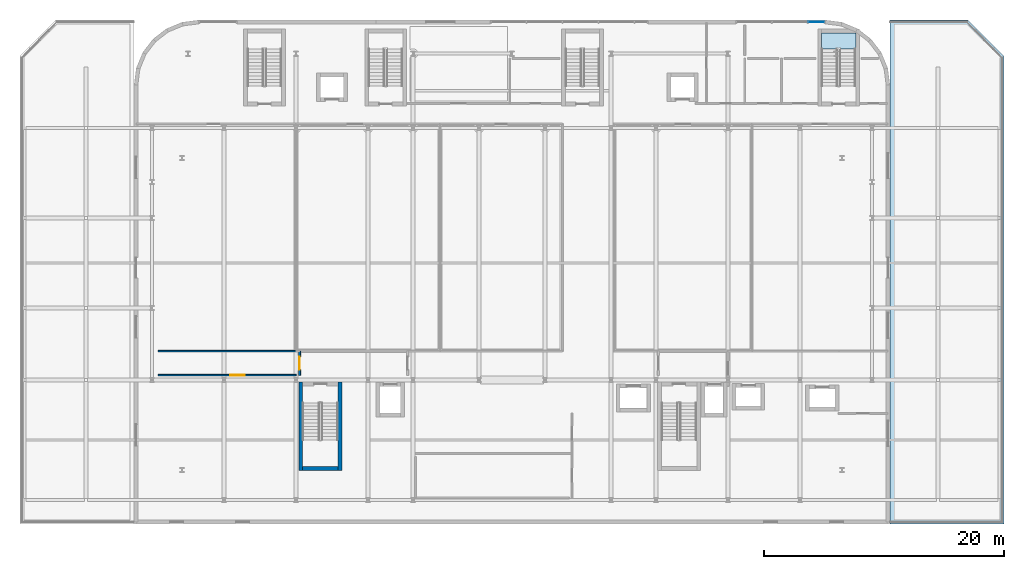
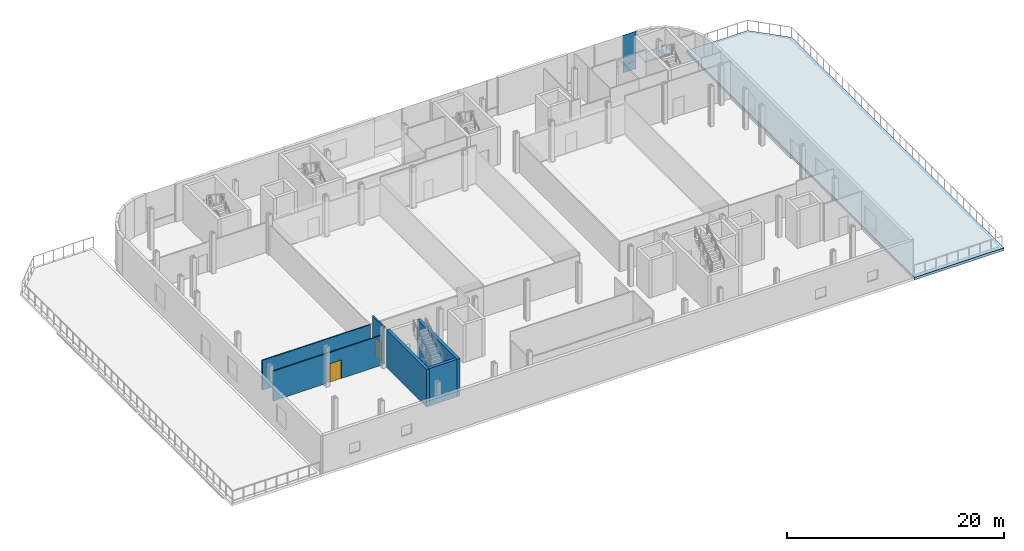
# One storey, part 14 of 26: 6 walls, 2 doors, 2 plates, 2 slabs, 2 openings, 2 elements without a shape of their own.
"""IFC4 building model written with IfcOpenShell, lengths in metres."""

import ifcopenshell
import ifcopenshell.guid

model = None  # the IFC model being written
_history = None  # IfcOwnerHistory: only IFC2X3 demands one
_inside = {}  # id of a spatial element -> (the spatial element, [elements in it])
_under = {}  # id of a project, library or spatial element -> (it, [spatial elements below it])
_declared = {}  # id of a project -> (the project, [libraries it declares])
_typed = {}  # id of a type object -> (the type object, [elements of that type])
_made_of = {}  # id of a material, layer set ... -> (it, [elements and type objects made of it])


def new_model(schema):
    """Start an empty IFC model of exactly this schema.

    Asked for "IFC4X3", IfcOpenShell would pick the latest addendum, in which some entities
    have other attributes; the version numbers below select the first issue.
    IFC2X3 requires an IfcOwnerHistory on every rooted entity: one is made here for all.
    """
    global model, _history
    if schema == "IFC4X3":
        model = ifcopenshell.file(schema_version=(4, 3, 0, 0))
    else:
        model = ifcopenshell.file(schema=schema)
    _inside.clear()
    _under.clear()
    _declared.clear()
    _typed.clear()
    _made_of.clear()
    _history = None
    if model.schema == "IFC2X3":
        org = make("IfcOrganization", Name="unknown")
        user = make(
            "IfcPersonAndOrganization",
            ThePerson=make("IfcPerson", FamilyName="unknown"),
            TheOrganization=org,
        )
        app = make(
            "IfcApplication",
            ApplicationDeveloper=org,
            Version="unknown",
            ApplicationFullName="unknown",
            ApplicationIdentifier="unknown",
        )
        _history = make(
            "IfcOwnerHistory",
            OwningUser=user,
            OwningApplication=app,
            ChangeAction="ADDED",
            CreationDate=0,
        )
    return model


def make(cls, **values):
    """One entity of the class cls with the attributes given. An attribute that is None is left unset."""
    return model.create_entity(
        cls, **{name: value for name, value in values.items() if value is not None}
    )


def rooted(cls, **values):
    """An entity with a GlobalId (a new one), such as an element, a storey or a relation."""
    return make(cls, GlobalId=ifcopenshell.guid.new(), OwnerHistory=_history, **values)


def si_unit(unit_type, name, prefix=None):
    """IfcSIUnit, for example si_unit("LENGTHUNIT", "METRE", prefix="MILLI")."""
    return make("IfcSIUnit", UnitType=unit_type, Prefix=prefix, Name=name)


def assignment(units):
    """IfcUnitAssignment: the units of a project."""
    return None if units is None else make("IfcUnitAssignment", Units=units)


def point(xyz):
    """IfcCartesianPoint."""
    return None if xyz is None else make("IfcCartesianPoint", Coordinates=xyz)


def direction(xyz):
    """IfcDirection."""
    return None if xyz is None else make("IfcDirection", DirectionRatios=xyz)


def frame(location, z_axis=None, x_axis=None):
    """IfcAxis2Placement3D, a coordinate frame: its origin and axes. An axis left out is left unset."""
    return make(
        "IfcAxis2Placement3D",
        Location=point(location),
        Axis=direction(z_axis),
        RefDirection=direction(x_axis),
    )


def frame_2d(location, x_axis=None):
    """IfcAxis2Placement2D, a coordinate frame in the plane: its origin and x axis."""
    return make(
        "IfcAxis2Placement2D", Location=point(location), RefDirection=direction(x_axis)
    )


def origin():
    """The frame at (0, 0, 0) with its axes left unset."""
    return frame((0.0, 0.0, 0.0))


def origin_2d():
    """The frame at (0, 0) in the plane with its x axis left unset."""
    return frame_2d((0.0, 0.0))


def place(relative_to, where):
    """IfcLocalPlacement: puts the frame where relative to a parent placement (None: the world)."""
    return make(
        "IfcLocalPlacement", PlacementRelTo=relative_to, RelativePlacement=where
    )


def context(
    kind, dimensions, precision=None, world=None, true_north=None, identifier=None
):
    """IfcGeometricRepresentationContext, for example the 3D "Model" context."""
    return make(
        "IfcGeometricRepresentationContext",
        ContextIdentifier=identifier,
        ContextType=kind,
        CoordinateSpaceDimension=dimensions,
        Precision=precision,
        WorldCoordinateSystem=world,
        TrueNorth=true_north,
    )


def subcontext(parent, identifier, kind, view, scale=None):
    """IfcGeometricRepresentationSubContext, for example "Body" below "Model"."""
    return make(
        "IfcGeometricRepresentationSubContext",
        ContextIdentifier=identifier,
        ContextType=kind,
        ParentContext=parent,
        TargetScale=scale,
        TargetView=view,
    )


def project(units=None, contexts=None):
    """IfcProject with its units and contexts."""
    return rooted(
        "IfcProject",
        Name="project",
        RepresentationContexts=contexts,
        UnitsInContext=assignment(units),
    )


def spatial(cls, under=None, at=None, **own):
    """A site, building, storey or space (cls), placed at a placement, below another one or the project."""
    s = rooted(cls, ObjectPlacement=at, **own)
    if under is not None:
        _under.setdefault(under.id(), (under, []))[1].append(s)
    return s


def polyline(points):
    """IfcPolyline through the points."""
    return make("IfcPolyline", Points=[point(p) for p in points])


def profile(cls, at=None, kind="AREA", **sizes):
    """A parametric profile (cls). Its sizes go by their IFC names, for example OverallWidth=200.0."""
    return make(cls, ProfileType=kind, Position=at, **sizes)


def rectangle(**sizes):
    """IfcRectangleProfileDef."""
    return profile("IfcRectangleProfileDef", **sizes)


def outline(outer, holes=None, kind="AREA"):
    """IfcArbitraryClosedProfileDef: a profile drawn as a closed curve; with holes, ...WithVoids."""
    if holes is None:
        return make("IfcArbitraryClosedProfileDef", ProfileType=kind, OuterCurve=outer)
    return make(
        "IfcArbitraryProfileDefWithVoids",
        ProfileType=kind,
        OuterCurve=outer,
        InnerCurves=holes,
    )


def extrude(swept, where, along, depth):
    """IfcExtrudedAreaSolid: the profile swept, set in the frame where, extruded along a direction by depth."""
    return make(
        "IfcExtrudedAreaSolid",
        SweptArea=swept,
        Position=where,
        ExtrudedDirection=direction(along),
        Depth=depth,
    )


def shape(context_of_items, identifier, shape_type, items):
    """IfcShapeRepresentation: the items that make up one representation, for example the "Body"."""
    return make(
        "IfcShapeRepresentation",
        ContextOfItems=context_of_items,
        RepresentationIdentifier=identifier,
        RepresentationType=shape_type,
        Items=items,
    )


def material(Name=None, Category=None):
    """IfcMaterial."""
    return make("IfcMaterial", Name=Name, Category=Category)


def layer(
    of_material, thickness, ventilated=None, Name=None, Category=None, Priority=None
):
    """IfcMaterialLayer: one layer of a wall or slab, of a material (None: an air gap)."""
    return make(
        "IfcMaterialLayer",
        Material=of_material,
        LayerThickness=thickness,
        IsVentilated=ventilated,
        Name=Name,
        Category=Category,
        Priority=Priority,
    )


def layer_set(layers, Name=None):
    """IfcMaterialLayerSet."""
    return make("IfcMaterialLayerSet", MaterialLayers=layers, LayerSetName=Name)


def made_of(thing, what):
    """Note that an element or type object is made of a material, layer set ...; save() writes the relation."""
    if what is not None:
        _made_of.setdefault(what.id(), (what, []))[1].append(thing)
    return thing


def type_object(cls, material=None, **own):
    """A type object (cls), such as IfcWallType, which elements share."""
    return made_of(rooted(cls, **own), material)


def element(
    cls,
    number,
    at=None,
    inside=None,
    cuts=None,
    type_object=None,
    material=None,
    context=None,
    identifier="Body",
    shape_type=None,
    held_by="IfcProductDefinitionShape",
    body=None,
    shapes=None,
    **own,
):
    """One element of the class cls, such as IfcWall. Its Tag is "e" and its number.

    at: its placement. inside: the storey or other place that contains it. cuts: it is an
    opening in that element (IfcRelVoidsElement). A single representation is given by context,
    identifier, shape_type and body (its items); several are given by shapes. held_by: the class
    of the entity that holds the representations. save() writes the other relations.
    """
    e = rooted(cls, Tag="e%d" % number, ObjectPlacement=at, **own)
    if body is not None:
        shapes = [shape(context, identifier, shape_type, body)]
    if shapes is not None:
        e.Representation = make(held_by, Representations=shapes)
    if inside is not None:
        _inside.setdefault(inside.id(), (inside, []))[1].append(e)
    if cuts is not None:
        rooted(
            "IfcRelVoidsElement", RelatingBuildingElement=cuts, RelatedOpeningElement=e
        )
    if type_object is not None:
        _typed.setdefault(type_object.id(), (type_object, []))[1].append(e)
    return made_of(e, material)


def fill(opening, filler):
    """IfcRelFillsElement: the door or window that sits in an opening."""
    return rooted(
        "IfcRelFillsElement",
        RelatingOpeningElement=opening,
        RelatedBuildingElement=filler,
    )


def aggregate(whole, parts):
    """IfcRelAggregates: a whole, such as a stair, and the parts it consists of."""
    return rooted("IfcRelAggregates", RelatingObject=whole, RelatedObjects=parts)


def save(model, path):
    """Write the relations noted so far, then the file.

    IfcRelAggregates (storeys below a building ...), IfcRelContainedInSpatialStructure (elements
    in a storey), IfcRelDefinesByType, IfcRelAssociatesMaterial and IfcRelDeclares: one each for
    every whole, place, type object, material and project.
    """
    for whole, parts in _under.values():
        aggregate(whole, parts)
    for where, things in _inside.values():
        rooted(
            "IfcRelContainedInSpatialStructure",
            RelatedElements=things,
            RelatingStructure=where,
        )
    for kind, things in _typed.values():
        rooted("IfcRelDefinesByType", RelatedObjects=things, RelatingType=kind)
    for what, things in _made_of.values():
        rooted("IfcRelAssociatesMaterial", RelatedObjects=things, RelatingMaterial=what)
    for by, libraries in _declared.values():
        rooted("IfcRelDeclares", RelatingContext=by, RelatedDefinitions=libraries)
    model.write(path)


model = new_model("IFC4")

# Units and contexts
model_context = context("Model", 3, precision=1e-05, world=origin(), true_north=direction((0.0, 1.0)))
body_context = subcontext(model_context, "Body", "Model", "MODEL_VIEW")
ifc_project = project(units=[si_unit("LENGTHUNIT", "METRE"), si_unit("AREAUNIT", "SQUARE_METRE"), si_unit("VOLUMEUNIT", "CUBIC_METRE"), si_unit("PLANEANGLEUNIT", "RADIAN"), si_unit("MASSUNIT", "GRAM", prefix="KILO")], contexts=[model_context])

# Site, building, storey
site_placement = place(None, origin())
site = spatial("IfcSite", under=ifc_project, at=site_placement, CompositionType="ELEMENT")
building_placement = place(site_placement, origin())
building = spatial("IfcBuilding", under=site, at=building_placement, Name="Brevholm Reach", CompositionType="ELEMENT")
storey_placement = place(building_placement, frame((0.0, 0.0, 18.0)))
storey = spatial("IfcBuildingStorey", under=building, at=storey_placement, Name="L04", CompositionType="ELEMENT", Elevation=18.0)

# Curtain wall, plates
ifc_material_1 = material(Name="Dark Anodised Aluminium 6063-T6 and Solar-Control Glass", Category="aluminium")
ifc_layer_1 = layer(ifc_material_1, 0.1650390625)
ifc_layer_set_1 = layer_set([ifc_layer_1], Name="Dark Anodised Aluminium 6063-T6 and Solar-Control Glass")
curtain_wall_type = type_object("IfcCurtainWallType", Name="CW-03", PredefinedType="NOTDEFINED", material=ifc_layer_set_1)
curtain_wall_placement = place(storey_placement, origin())
curtain_wall = element("IfcCurtainWall", 1, at=curtain_wall_placement, inside=storey, type_object=curtain_wall_type, Name="L04 Curtain Wall CW-03", PredefinedType="NOTDEFINED")
ifc_material_2 = material(Name="Triple-Glazed Acoustic School IGU Glass", Category="glass")
ifc_layer_2 = layer(ifc_material_2, 0.0439453125)
ifc_layer_set_2 = layer_set([ifc_layer_2], Name="Triple-Glazed Acoustic School IGU Glass")
plate_type = type_object("IfcPlateType", Name="CWP-ACU-44", PredefinedType="CURTAIN_PANEL", material=ifc_layer_set_2)
plate_1_placement = place(storey_placement, frame((55.357421875, 39.830078125, 0.0), z_axis=(0.0, 0.0, 1.0), x_axis=(1.0, 0.0, 0.0)))
plate_1 = element("IfcPlate", 2, at=plate_1_placement, type_object=plate_type, Name="CP-03 Glazing Panel 3.1", PredefinedType="CURTAIN_PANEL", context=body_context, shape_type="SweptSolid", body=[
    extrude(rectangle(XDim=1.344970703125, YDim=0.0439453125, at=origin_2d()), origin(), (0.0, 0.0, 1.0), 0.864990234375),
])
plate_2_placement = place(storey_placement, frame((55.357421875, 39.830078125, 0.93505859375), z_axis=(0.0, 0.0, 1.0), x_axis=(1.0, 0.0, 0.0)))
plate_2 = element("IfcPlate", 3, at=plate_2_placement, type_object=plate_type, Name="CP-03 Glazing Panel 3.2", PredefinedType="CURTAIN_PANEL", context=body_context, shape_type="SweptSolid", body=[
    extrude(rectangle(XDim=1.344970703125, YDim=0.0439453125, at=origin_2d()), origin(), (0.0, 0.0, 1.0), 3.284912109375),
])
aggregate(curtain_wall, [plate_1, plate_2])

# Stair, slab
ifc_material_3 = material(Name="Precast Concrete C40/50", Category="concrete")
stair_type = type_object("IfcStairType", Name="STR-ESC-1250", PredefinedType="DOUBLE_RETURN_STAIR", material=ifc_material_3)
stair_placement = place(storey_placement, origin())
stair = element("IfcStair", 4, at=stair_placement, inside=storey, type_object=stair_type, Name="L04 ST-S4", PredefinedType="DOUBLE_RETURN_STAIR")
ifc_material_4 = material(Name="Concrete C40/50", Category="concrete")
ifc_layer_3 = layer(ifc_material_4, 0.199951171875)
ifc_layer_set_3 = layer_set([ifc_layer_3], Name="Concrete C40/50")
slab_type_1 = type_object("IfcSlabType", Name="SLB-LND-200", PredefinedType="LANDING", material=ifc_layer_set_3)
slab_1_placement = place(storey_placement, frame((0.0, 0.0, 2.050048828125)))
slab_1 = element("IfcSlab", 5, at=slab_1_placement, type_object=slab_type_1, Name="ST-S4 landing 1", PredefinedType="LANDING", context=body_context, shape_type="SweptSolid", body=[
    extrude(outline(polyline([(58.64990234375, 37.580078125), (58.64990234375, 38.929931640625), (55.800048828125, 38.929931640625), (55.800048828125, 37.580078125), (58.64990234375, 37.580078125)])), origin(), (0.0, 0.0, 1.0), 0.199951171875),
])
aggregate(stair, [slab_1])

# Slab
ifc_material_5 = material(Name="Concrete C40/50", Category="concrete")
ifc_layer_4 = layer(ifc_material_5, 0.2900390625)
ifc_layer_set_4 = layer_set([ifc_layer_4], Name="Concrete C40/50")
slab_type_2 = type_object("IfcSlabType", Name="SLB-RF-290", PredefinedType="ROOF", material=ifc_layer_set_4)
slab_2_placement = place(storey_placement, frame((0.0, 0.0, -0.280029296875)))
element("IfcSlab", 6, at=slab_2_placement, inside=storey, type_object=slab_type_2, Name="Outdoor Terrace Roof Slab (playdeck-l04-e)", PredefinedType="ROOF", context=body_context, shape_type="SweptSolid", body=[
    extrude(outline(polyline([(61.5, -2.0), (71.0, -2.0), (71.0, 37.0), (68.0, 40.0), (61.5, 40.0), (61.5, -2.0)])), origin(), (0.0, 0.0, 1.0), 0.2900390625),
])

# Walls
ifc_material_6 = material(Name="Concrete C60/75", Category="concrete")
ifc_layer_5 = layer(ifc_material_6, 0.320068359375)
ifc_layer_set_5 = layer_set([ifc_layer_5], Name="Concrete C60/75")
wall_type_1 = type_object("IfcWallType", Name="WAL-COR-320", PredefinedType="SHEAR", material=ifc_layer_set_5)
for number, where, z_axis, x_axis, name in (
    (7, (12.389892578125, 2.4599609375, 0.0), (0.0, 0.0, 1.0), (0.0, 1.0, 0.0), "L04 Escape Stair ST-1 Core Wall W"),
    (8, (15.659912109375, 2.4599609375, 0.0), (0.0, 0.0, 1.0), (0.0, 1.0, 0.0), "L04 Escape Stair ST-1 Core Wall E"),
):
    element("IfcWall", number, at=place(storey_placement, frame(where, z_axis=z_axis, x_axis=x_axis)), inside=storey, type_object=wall_type_1, Name=name, PredefinedType="SHEAR", context=body_context, shape_type="SweptSolid", body=[
        extrude(rectangle(XDim=7.360107421875, YDim=0.320068359375, at=frame_2d((3.68017578125, 0.0))), origin(), (0.0, 0.0, 1.0), 4.219970703125),
    ])
wall_1_placement = place(storey_placement, frame((12.550048828125, 2.6201171875, 0.0), z_axis=(0.0, 0.0, 1.0), x_axis=(1.0, 0.0, 0.0)))
element("IfcWall", 9, at=wall_1_placement, inside=storey, type_object=wall_type_1, Name="L04 Escape Stair ST-1 Core Wall S", PredefinedType="SHEAR", context=body_context, shape_type="SweptSolid", body=[
    extrude(rectangle(XDim=2.949951171875, YDim=0.320068359375, at=frame_2d((1.47509765625, 0.0))), origin(), (0.0, 0.0, 1.0), 4.219970703125),
])
ifc_material_7 = material(Name="Acoustic Fire-Rated Classroom Gypsum Partition 120 mm", Category="gypsum")
ifc_layer_6 = layer(ifc_material_7, 0.1201171875)
ifc_layer_set_6 = layer_set([ifc_layer_6], Name="Acoustic Fire-Rated Classroom Gypsum Partition 120 mm")
wall_type_2 = type_object("IfcWallType", Name="WAL-PRT-120", PredefinedType="PARTITIONING", material=ifc_layer_set_6)
wall_2_placement = place(storey_placement, frame((0.5, 12.39990234375, 0.0), z_axis=(0.0, 0.0, 1.0), x_axis=(1.0, 0.0, 0.0)))
element("IfcWall", 10, at=wall_2_placement, inside=storey, type_object=wall_type_2, Name="L04 Internal Partition 022", PredefinedType="PARTITIONING", context=body_context, shape_type="SweptSolid", body=[
    extrude(rectangle(XDim=11.51123046875, YDim=0.1201171875, at=frame_2d((5.755615234375, 0.0))), origin(), (0.0, 0.0, 1.0), 3.343994140625),
])

# Wall, opening, door
wall_3_placement = place(storey_placement, frame((0.5, 10.39990234375, 0.0), z_axis=(0.0, 0.0, 1.0), x_axis=(1.0, 0.0, 0.0)))
wall_3 = element("IfcWall", 11, at=wall_3_placement, inside=storey, type_object=wall_type_2, Name="L04 Internal Partition 024", PredefinedType="PARTITIONING", context=body_context, shape_type="SweptSolid", body=[
    extrude(rectangle(XDim=11.51123046875, YDim=0.1201171875, at=frame_2d((5.755615234375, 0.0))), origin(), (0.0, 0.0, 1.0), 3.343994140625),
])
opening_1_placement = place(wall_3_placement, frame((6.03564453125, 0.0, 0.0)))
opening_1 = element("IfcOpeningElement", 12, at=opening_1_placement, cuts=wall_3, Name="Opening ID-SC", PredefinedType="OPENING", context=body_context, shape_type="SweptSolid", body=[
    extrude(rectangle(XDim=1.199951171875, YDim=2.080078125, at=frame_2d((0.60009765625, 1.0400390625))), frame((0.0, 0.070068359375, 0.0), z_axis=(0.0, -1.0, 0.0), x_axis=(1.0, 0.0, 0.0)), (0.0, 0.0, 1.0), 0.14013671875),
])
ifc_material_8 = material(Name="Acoustic European Oak Classroom Vision-Panel Fire Door", Category="timber")
door_type_1 = type_object("IfcDoorType", Name="DOR-SCH-1200", OperationType="NOTDEFINED", PredefinedType="DOOR", material=ifc_material_8)
door_1_placement = place(opening_1_placement, origin())
door_1 = element("IfcDoor", 13, at=door_1_placement, inside=storey, type_object=door_type_1, Name="L04 Internal Door 018", OperationType="SINGLE_SWING_RIGHT", OverallHeight=2.080078125, OverallWidth=1.199951171875, PredefinedType="DOOR", context=body_context, shape_type="SweptSolid", body=[
    extrude(rectangle(XDim=1.199951171875, YDim=2.080078125, at=frame_2d((0.60009765625, 1.0400390625))), frame((0.0, 0.02490234375, 0.0), z_axis=(0.0, -1.0, 0.0), x_axis=(1.0, 0.0, 0.0)), (0.0, 0.0, 1.0), 0.050048828125),
])
fill(opening_1, door_1)

ifc_material_9 = material(Name="Twin-Frame Fire-Rated Gypsum Board and Mineral Wool 160 mm", Category="gypsum")
ifc_layer_7 = layer(ifc_material_9, 0.159912109375)
ifc_layer_set_7 = layer_set([ifc_layer_7], Name="Twin-Frame Fire-Rated Gypsum Board and Mineral Wool 160 mm")
wall_type_3 = type_object("IfcWallType", Name="WAL-PRT-160", PredefinedType="PARTITIONING", material=ifc_layer_set_7)
wall_4_placement = place(storey_placement, frame((12.300048828125, 10.388671875, 0.0), z_axis=(0.0, 0.0, 1.0), x_axis=(0.0, 1.0, 0.0)))
wall_4 = element("IfcWall", 14, at=wall_4_placement, inside=storey, type_object=wall_type_3, Name="L04 Internal Partition 004", PredefinedType="PARTITIONING", context=body_context, shape_type="SweptSolid", body=[
    extrude(rectangle(XDim=2.01123046875, YDim=0.159912109375, at=frame_2d((1.005615234375, 0.0))), origin(), (0.0, 0.0, 1.0), 4.219970703125),
])
opening_2_placement = place(wall_4_placement, frame((0.480712890625, 0.0, 0.0)))
opening_2 = element("IfcOpeningElement", 15, at=opening_2_placement, cuts=wall_4, Name="Opening FD-01", PredefinedType="OPENING", context=body_context, shape_type="SweptSolid", body=[
    extrude(rectangle(XDim=1.050048828125, YDim=2.06005859375, at=frame_2d((0.52490234375, 1.030029296875))), frame((0.0, 0.08984375, 0.0), z_axis=(0.0, -1.0, 0.0), x_axis=(1.0, 0.0, 0.0)), (0.0, 0.0, 1.0), 0.179931640625),
])
ifc_material_10 = material(Name="Hardwood-Lipped Steel-Core Fire and Smoke Door", Category="steel")
door_type_2 = type_object("IfcDoorType", Name="DOR-INT-FD60S", OperationType="NOTDEFINED", PredefinedType="DOOR", material=ifc_material_10)
door_2_placement = place(opening_2_placement, origin())
door_2 = element("IfcDoor", 16, at=door_2_placement, inside=storey, type_object=door_type_2, Name="L04 Internal Door 003", OperationType="SINGLE_SWING_LEFT", OverallHeight=2.06005859375, OverallWidth=1.050048828125, PredefinedType="DOOR", context=body_context, shape_type="SweptSolid", body=[
    extrude(rectangle(XDim=1.050048828125, YDim=2.06005859375, at=frame_2d((0.52490234375, 1.030029296875))), frame((0.0, 0.02490234375, 0.0), z_axis=(0.0, -1.0, 0.0), x_axis=(1.0, 0.0, 0.0)), (0.0, 0.0, 1.0), 0.050048828125),
])
fill(opening_2, door_2)

save(model, "model.ifc")
